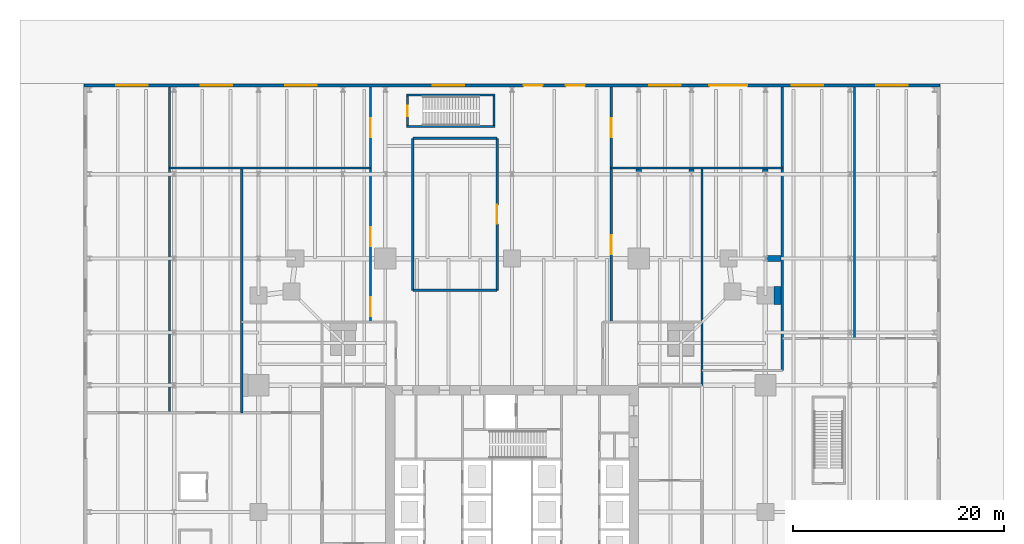
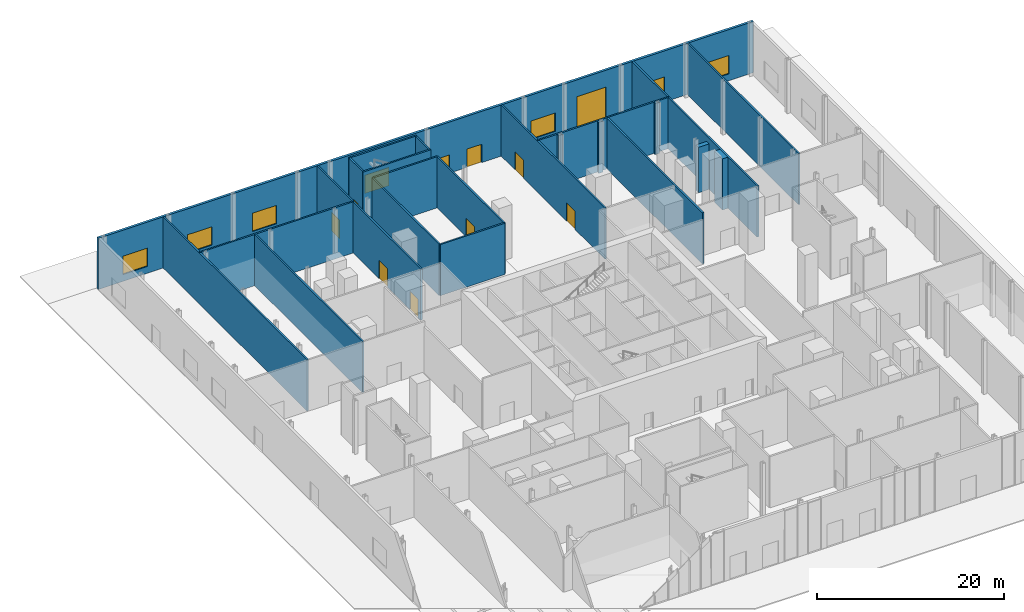
# One storey, part 17 of 20: 23 walls, 10 doors, 7 windows, 17 openings.
"""IFC4 building model written with IfcOpenShell, lengths in metres."""

from ifc_helpers import new_model, si_unit, direction, frame, frame_2d, origin, place, context, subcontext, project, spatial, rectangle, extrude, material, layer, layer_set, type_object, element, fill, save


model = new_model("IFC4")

# Units and contexts
model_context = context("Model", 3, precision=1e-05, world=origin(), true_north=direction((0.0, 1.0)))
body_context = subcontext(model_context, "Body", "Model", "MODEL_VIEW")
ifc_project = project(units=[si_unit("LENGTHUNIT", "METRE"), si_unit("AREAUNIT", "SQUARE_METRE"), si_unit("VOLUMEUNIT", "CUBIC_METRE"), si_unit("PLANEANGLEUNIT", "RADIAN"), si_unit("MASSUNIT", "GRAM", prefix="KILO")], contexts=[model_context])

# Site, building, storey
site_placement = place(None, origin())
site = spatial("IfcSite", under=ifc_project, at=site_placement, CompositionType="ELEMENT")
building_placement = place(site_placement, origin())
building = spatial("IfcBuilding", under=site, at=building_placement, Name="Fenwick Lantern Interchange", CompositionType="ELEMENT")
storey_placement = place(building_placement, origin())
storey = spatial("IfcBuildingStorey", under=building, at=storey_placement, Name="L00", CompositionType="ELEMENT", Elevation=0.0)

# Walls
ifc_material_1 = material(Name="Fire-rated gypsum board encasement on steel studs, 2 hour", Category="steel")
ifc_layer_1 = layer(ifc_material_1, 1.699951171875)
ifc_layer_set_1 = layer_set([ifc_layer_1], Name="COLUMN PIER 1700")
wall_type_1 = type_object("IfcWallType", Name="COLUMN PIER 1700", PredefinedType="PARTITIONING", material=ifc_layer_set_1)
wall_1_placement = place(storey_placement, frame((50.5, 45.5, 0.0), z_axis=(0.0, 0.0, 1.0), x_axis=(-1.0, 0.0, 0.0)))
element("IfcWall", 1, at=wall_1_placement, inside=storey, type_object=wall_type_1, Name="L00/W/PIER/CE5", PredefinedType="PARTITIONING", context=body_context, shape_type="SweptSolid", body=[
    extrude(rectangle(XDim=0.699951171875, YDim=1.699951171875, at=frame_2d((0.35009765625, 0.0))), origin(), (0.0, 0.0, 1.0), 6.699951171875),
])
ifc_layer_2 = layer(ifc_material_1, 0.51708984375)
ifc_layer_set_2 = layer_set([ifc_layer_2], Name="COLUMN PIER 517")
wall_type_2 = type_object("IfcWallType", Name="COLUMN PIER 517", PredefinedType="PARTITIONING", material=ifc_layer_set_2)
for number, where, z_axis, x_axis, name in (
    (2, (49.0, 57.5, 0.0), (0.0, 0.0, 1.0), (0.0, -1.0, 0.0), "L00/W/PIER/PK9"),
    (3, (37.0, 57.5, 0.0), (0.0, 0.0, 1.0), (0.0, -1.0, 0.0), "L00/W/PIER/PK7"),
    (4, (42.0, 57.5, 0.0), (0.0, 0.0, 1.0), (0.0, -1.0, 0.0), "L00/W/PIER/PK8"),
):
    element("IfcWall", number, at=place(storey_placement, frame(where, z_axis=z_axis, x_axis=x_axis)), inside=storey, type_object=wall_type_2, Name=name, PredefinedType="PARTITIONING", context=body_context, shape_type="SweptSolid", body=[
        extrude(rectangle(XDim=0.27783203125, YDim=0.51708984375, at=frame_2d((0.138916015625, 0.0))), origin(), (0.0, 0.0, 1.0), 6.699951171875),
    ])
ifc_layer_3 = layer(ifc_material_1, 0.544921875)
ifc_layer_set_3 = layer_set([ifc_layer_3], Name="COLUMN PIER 545")
wall_type_3 = type_object("IfcWallType", Name="COLUMN PIER 545", PredefinedType="PARTITIONING", material=ifc_layer_set_3)
wall_2_placement = place(storey_placement, frame((50.5, 49.0, 0.0), z_axis=(0.0, 0.0, 1.0), x_axis=(-1.0, 0.0, 0.0)))
element("IfcWall", 5, at=wall_2_placement, inside=storey, type_object=wall_type_3, Name="L00/W/PIER/PJ9", PredefinedType="PARTITIONING", context=body_context, shape_type="SweptSolid", body=[
    extrude(rectangle(XDim=1.291748046875, YDim=0.544921875, at=frame_2d((0.64599609375, 0.0))), origin(), (0.0, 0.0, 1.0), 5.9541015625),
])

# Wall, openings, doors, windows
ifc_material_2 = material(Name="Limestone ASTM C568 Classification II", Category="masonry")
ifc_layer_4 = layer(ifc_material_2, 0.074951171875)
ifc_material_3 = material(Name="Mineral wool insulation")
ifc_layer_5 = layer(ifc_material_3, 0.125)
ifc_material_4 = material(Name="Cold-formed galvanised steel studs", Category="steel")
ifc_layer_6 = layer(ifc_material_4, 0.10009765625)
ifc_layer_set_4 = layer_set([ifc_layer_4, ifc_layer_5, ifc_layer_6], Name="Limestone ASTM C568 Classification II")
wall_type_4 = type_object("IfcWallType", Name="LIMESTONE RAINSCREEN WALL 300", PredefinedType="SOLIDWALL", material=ifc_layer_set_4)
wall_3_placement = place(storey_placement, frame((65.550048828125, 65.39990234375, 0.0), z_axis=(0.0, 0.0, 1.0), x_axis=(-1.0, 0.0, 0.0)))
wall_3 = element("IfcWall", 6, at=wall_3_placement, inside=storey, type_object=wall_type_4, Name="L00/EW/N", PredefinedType="SOLIDWALL", context=body_context, shape_type="SweptSolid", body=[
    extrude(rectangle(XDim=81.10009765625, YDim=0.300048828125, at=frame_2d((40.550048828125, 0.0))), origin(), (0.0, 0.0, 1.0), 6.699951171875),
])
opening_1_placement = place(wall_3_placement, frame((37.64990234375, 0.0, 0.0)))
opening_1 = element("IfcOpeningElement", 7, at=opening_1_placement, cuts=wall_3, Name="Opening L00-D010", PredefinedType="OPENING", context=body_context, shape_type="SweptSolid", body=[
    extrude(rectangle(XDim=1.800048828125, YDim=2.39990234375, at=frame_2d((0.89990234375, 1.199951171875))), frame((0.0, 0.159912109375, 0.0), z_axis=(0.0, -1.0, 0.0), x_axis=(1.0, 0.0, 0.0)), (0.0, 0.0, 1.0), 0.320068359375),
])
opening_2_placement = place(wall_3_placement, frame((33.64990234375, 0.0, 0.0)))
opening_2 = element("IfcOpeningElement", 8, at=opening_2_placement, cuts=wall_3, Name="Opening L00-D011", PredefinedType="OPENING", context=body_context, shape_type="SweptSolid", body=[
    extrude(rectangle(XDim=1.800048828125, YDim=2.39990234375, at=frame_2d((0.89990234375, 1.199951171875))), frame((0.0, 0.159912109375, 0.0), z_axis=(0.0, -1.0, 0.0), x_axis=(1.0, 0.0, 0.0)), (0.0, 0.0, 1.0), 0.320068359375),
])
opening_3_placement = place(wall_3_placement, frame((18.25, 0.0, 0.0)))
opening_3 = element("IfcOpeningElement", 9, at=opening_3_placement, cuts=wall_3, Name="Opening L00-D012", PredefinedType="OPENING", context=body_context, shape_type="SweptSolid", body=[
    extrude(rectangle(XDim=3.60009765625, YDim=4.5, at=frame_2d((1.800048828125, 2.25))), frame((0.0, 0.159912109375, 0.0), z_axis=(0.0, -1.0, 0.0), x_axis=(1.0, 0.0, 0.0)), (0.0, 0.0, 1.0), 0.320068359375),
])
opening_4_placement = place(wall_3_placement, frame((75.050048828125, 0.0, 0.89990234375)))
opening_4 = element("IfcOpeningElement", 10, at=opening_4_placement, cuts=wall_3, Name="Opening W1", PredefinedType="OPENING", context=body_context, shape_type="SweptSolid", body=[
    extrude(rectangle(XDim=3.0, YDim=2.39990234375, at=frame_2d((1.5, 1.199951171875))), frame((0.0, 0.159912109375, 0.0), z_axis=(0.0, -1.0, 0.0), x_axis=(1.0, 0.0, 0.0)), (0.0, 0.0, 1.0), 0.320068359375),
])
opening_5_placement = place(wall_3_placement, frame((67.050048828125, 0.0, 0.89990234375)))
opening_5 = element("IfcOpeningElement", 11, at=opening_5_placement, cuts=wall_3, Name="Opening W1", PredefinedType="OPENING", context=body_context, shape_type="SweptSolid", body=[
    extrude(rectangle(XDim=3.0, YDim=2.39990234375, at=frame_2d((1.5, 1.199951171875))), frame((0.0, 0.159912109375, 0.0), z_axis=(0.0, -1.0, 0.0), x_axis=(1.0, 0.0, 0.0)), (0.0, 0.0, 1.0), 0.320068359375),
])
opening_6_placement = place(wall_3_placement, frame((59.050048828125, 0.0, 0.89990234375)))
opening_6 = element("IfcOpeningElement", 12, at=opening_6_placement, cuts=wall_3, Name="Opening W1", PredefinedType="OPENING", context=body_context, shape_type="SweptSolid", body=[
    extrude(rectangle(XDim=3.0, YDim=2.39990234375, at=frame_2d((1.5, 1.199951171875))), frame((0.0, 0.159912109375, 0.0), z_axis=(0.0, -1.0, 0.0), x_axis=(1.0, 0.0, 0.0)), (0.0, 0.0, 1.0), 0.320068359375),
])
opening_7_placement = place(wall_3_placement, frame((45.050048828125, 0.0, 0.89990234375)))
opening_7 = element("IfcOpeningElement", 13, at=opening_7_placement, cuts=wall_3, Name="Opening W1", PredefinedType="OPENING", context=body_context, shape_type="SweptSolid", body=[
    extrude(rectangle(XDim=3.0, YDim=2.39990234375, at=frame_2d((1.5, 1.199951171875))), frame((0.0, 0.159912109375, 0.0), z_axis=(0.0, -1.0, 0.0), x_axis=(1.0, 0.0, 0.0)), (0.0, 0.0, 1.0), 0.320068359375),
])
opening_8_placement = place(wall_3_placement, frame((24.550048828125, 0.0, 0.89990234375)))
opening_8 = element("IfcOpeningElement", 14, at=opening_8_placement, cuts=wall_3, Name="Opening W1", PredefinedType="OPENING", context=body_context, shape_type="SweptSolid", body=[
    extrude(rectangle(XDim=3.0, YDim=2.39990234375, at=frame_2d((1.5, 1.199951171875))), frame((0.0, 0.159912109375, 0.0), z_axis=(0.0, -1.0, 0.0), x_axis=(1.0, 0.0, 0.0)), (0.0, 0.0, 1.0), 0.320068359375),
])
opening_9_placement = place(wall_3_placement, frame((11.050048828125, 0.0, 0.89990234375)))
opening_9 = element("IfcOpeningElement", 15, at=opening_9_placement, cuts=wall_3, Name="Opening W1", PredefinedType="OPENING", context=body_context, shape_type="SweptSolid", body=[
    extrude(rectangle(XDim=3.0, YDim=2.39990234375, at=frame_2d((1.5, 1.199951171875))), frame((0.0, 0.159912109375, 0.0), z_axis=(0.0, -1.0, 0.0), x_axis=(1.0, 0.0, 0.0)), (0.0, 0.0, 1.0), 0.320068359375),
])
opening_10_placement = place(wall_3_placement, frame((3.050048828125, 0.0, 0.89990234375)))
opening_10 = element("IfcOpeningElement", 16, at=opening_10_placement, cuts=wall_3, Name="Opening W1", PredefinedType="OPENING", context=body_context, shape_type="SweptSolid", body=[
    extrude(rectangle(XDim=3.0, YDim=2.39990234375, at=frame_2d((1.5, 1.199951171875))), frame((0.0, 0.159912109375, 0.0), z_axis=(0.0, -1.0, 0.0), x_axis=(1.0, 0.0, 0.0)), (0.0, 0.0, 1.0), 0.320068359375),
])
ifc_material_5 = material(Name="Aluminium glazed door", Category="aluminium")
door_type_1 = type_object("IfcDoorType", Name="ENTRANCE DOOR PAIR 1800 X 2400", OperationType="DOUBLE_DOOR_SINGLE_SWING", PredefinedType="DOOR", material=ifc_material_5)
door_1_placement = place(opening_1_placement, frame((1.800048828125, 0.0, 0.0), z_axis=(0.0, 0.0, 1.0), x_axis=(-1.0, 0.0, 0.0)))
door_1 = element("IfcDoor", 17, at=door_1_placement, inside=storey, type_object=door_type_1, Name="Entrance door pair", OperationType="DOUBLE_DOOR_SINGLE_SWING", OverallHeight=2.39990234375, OverallWidth=1.800048828125, PredefinedType="DOOR", context=body_context, shape_type="SweptSolid", body=[
    extrude(rectangle(XDim=1.800048828125, YDim=2.39990234375, at=frame_2d((0.89990234375, 1.199951171875))), frame((0.0, 0.02490234375, 0.0), z_axis=(0.0, -1.0, 0.0), x_axis=(1.0, 0.0, 0.0)), (0.0, 0.0, 1.0), 0.050048828125),
])
fill(opening_1, door_1)
door_2_placement = place(opening_2_placement, frame((1.800048828125, 0.0, 0.0), z_axis=(0.0, 0.0, 1.0), x_axis=(-1.0, 0.0, 0.0)))
door_2 = element("IfcDoor", 18, at=door_2_placement, inside=storey, type_object=door_type_1, Name="Entrance door pair", OperationType="DOUBLE_DOOR_SINGLE_SWING", OverallHeight=2.39990234375, OverallWidth=1.800048828125, PredefinedType="DOOR", context=body_context, shape_type="SweptSolid", body=[
    extrude(rectangle(XDim=1.800048828125, YDim=2.39990234375, at=frame_2d((0.89990234375, 1.199951171875))), frame((0.0, 0.02490234375, 0.0), z_axis=(0.0, -1.0, 0.0), x_axis=(1.0, 0.0, 0.0)), (0.0, 0.0, 1.0), 0.050048828125),
])
fill(opening_2, door_2)
ifc_material_6 = material(Name="Insulated steel rolling shutter", Category="steel")
door_type_2 = type_object("IfcDoorType", Name="LOADING DOOR 3600 X 4500", OperationType="ROLLINGUP", PredefinedType="DOOR", material=ifc_material_6)
door_3_placement = place(opening_3_placement, origin())
door_3 = element("IfcDoor", 19, at=door_3_placement, inside=storey, type_object=door_type_2, Name="Loading door", OperationType="ROLLINGUP", OverallHeight=4.5, OverallWidth=3.60009765625, PredefinedType="DOOR", context=body_context, shape_type="SweptSolid", body=[
    extrude(rectangle(XDim=3.60009765625, YDim=4.5, at=frame_2d((1.800048828125, 2.25))), frame((0.0, 0.02490234375, 0.0), z_axis=(0.0, -1.0, 0.0), x_axis=(1.0, 0.0, 0.0)), (0.0, 0.0, 1.0), 0.050048828125),
])
fill(opening_3, door_3)
ifc_material_7 = material(Name="Aluminium window, clear glass", Category="aluminium")
window_type = type_object("IfcWindowType", Name="PODIUM WINDOW 3000 X 2400", PartitioningType="SINGLE_PANEL", PredefinedType="WINDOW", material=ifc_material_7)
window_1_placement = place(opening_4_placement, origin())
window_1 = element("IfcWindow", 20, at=window_1_placement, inside=storey, type_object=window_type, Name="Podium window", OverallHeight=2.39990234375, OverallWidth=3.0, PartitioningType="SINGLE_PANEL", PredefinedType="WINDOW", context=body_context, shape_type="SweptSolid", body=[
    extrude(rectangle(XDim=3.0, YDim=2.39990234375, at=frame_2d((1.5, 1.199951171875))), frame((0.0, 0.030029296875, 0.0), z_axis=(0.0, -1.0, 0.0), x_axis=(1.0, 0.0, 0.0)), (0.0, 0.0, 1.0), 0.06005859375),
])
fill(opening_4, window_1)
window_2_placement = place(opening_5_placement, origin())
window_2 = element("IfcWindow", 21, at=window_2_placement, inside=storey, type_object=window_type, Name="Podium window", OverallHeight=2.39990234375, OverallWidth=3.0, PartitioningType="SINGLE_PANEL", PredefinedType="WINDOW", context=body_context, shape_type="SweptSolid", body=[
    extrude(rectangle(XDim=3.0, YDim=2.39990234375, at=frame_2d((1.5, 1.199951171875))), frame((0.0, 0.030029296875, 0.0), z_axis=(0.0, -1.0, 0.0), x_axis=(1.0, 0.0, 0.0)), (0.0, 0.0, 1.0), 0.06005859375),
])
fill(opening_5, window_2)
window_3_placement = place(opening_6_placement, origin())
window_3 = element("IfcWindow", 22, at=window_3_placement, inside=storey, type_object=window_type, Name="Podium window", OverallHeight=2.39990234375, OverallWidth=3.0, PartitioningType="SINGLE_PANEL", PredefinedType="WINDOW", context=body_context, shape_type="SweptSolid", body=[
    extrude(rectangle(XDim=3.0, YDim=2.39990234375, at=frame_2d((1.5, 1.199951171875))), frame((0.0, 0.030029296875, 0.0), z_axis=(0.0, -1.0, 0.0), x_axis=(1.0, 0.0, 0.0)), (0.0, 0.0, 1.0), 0.06005859375),
])
fill(opening_6, window_3)
window_4_placement = place(opening_7_placement, origin())
window_4 = element("IfcWindow", 23, at=window_4_placement, inside=storey, type_object=window_type, Name="Podium window", OverallHeight=2.39990234375, OverallWidth=3.0, PartitioningType="SINGLE_PANEL", PredefinedType="WINDOW", context=body_context, shape_type="SweptSolid", body=[
    extrude(rectangle(XDim=3.0, YDim=2.39990234375, at=frame_2d((1.5, 1.199951171875))), frame((0.0, 0.030029296875, 0.0), z_axis=(0.0, -1.0, 0.0), x_axis=(1.0, 0.0, 0.0)), (0.0, 0.0, 1.0), 0.06005859375),
])
fill(opening_7, window_4)
window_5_placement = place(opening_8_placement, origin())
window_5 = element("IfcWindow", 24, at=window_5_placement, inside=storey, type_object=window_type, Name="Podium window", OverallHeight=2.39990234375, OverallWidth=3.0, PartitioningType="SINGLE_PANEL", PredefinedType="WINDOW", context=body_context, shape_type="SweptSolid", body=[
    extrude(rectangle(XDim=3.0, YDim=2.39990234375, at=frame_2d((1.5, 1.199951171875))), frame((0.0, 0.030029296875, 0.0), z_axis=(0.0, -1.0, 0.0), x_axis=(1.0, 0.0, 0.0)), (0.0, 0.0, 1.0), 0.06005859375),
])
fill(opening_8, window_5)
window_6_placement = place(opening_9_placement, origin())
window_6 = element("IfcWindow", 25, at=window_6_placement, inside=storey, type_object=window_type, Name="Podium window", OverallHeight=2.39990234375, OverallWidth=3.0, PartitioningType="SINGLE_PANEL", PredefinedType="WINDOW", context=body_context, shape_type="SweptSolid", body=[
    extrude(rectangle(XDim=3.0, YDim=2.39990234375, at=frame_2d((1.5, 1.199951171875))), frame((0.0, 0.030029296875, 0.0), z_axis=(0.0, -1.0, 0.0), x_axis=(1.0, 0.0, 0.0)), (0.0, 0.0, 1.0), 0.06005859375),
])
fill(opening_9, window_6)
window_7_placement = place(opening_10_placement, origin())
window_7 = element("IfcWindow", 26, at=window_7_placement, inside=storey, type_object=window_type, Name="Podium window", OverallHeight=2.39990234375, OverallWidth=3.0, PartitioningType="SINGLE_PANEL", PredefinedType="WINDOW", context=body_context, shape_type="SweptSolid", body=[
    extrude(rectangle(XDim=3.0, YDim=2.39990234375, at=frame_2d((1.5, 1.199951171875))), frame((0.0, 0.030029296875, 0.0), z_axis=(0.0, -1.0, 0.0), x_axis=(1.0, 0.0, 0.0)), (0.0, 0.0, 1.0), 0.06005859375),
])
fill(opening_10, window_7)

# Walls
ifc_material_8 = material(Name="Gypsum board on steel studs, 1 hour", Category="steel")
ifc_layer_7 = layer(ifc_material_8, 0.199951171875)
ifc_layer_set_5 = layer_set([ifc_layer_7], Name="ROOM WALL 200")
wall_type_5 = type_object("IfcWallType", Name="ROOM WALL 200", PredefinedType="PARTITIONING", material=ifc_layer_set_5)
wall_4_placement = place(storey_placement, frame((-7.449951171875, 34.39990234375, 0.0), z_axis=(0.0, 0.0, 1.0), x_axis=(0.0, 1.0, 0.0)))
element("IfcWall", 27, at=wall_4_placement, inside=storey, type_object=wall_type_5, Name="L00/W/POD/X-7.45-2", PredefinedType="PARTITIONING", context=body_context, shape_type="SweptSolid", body=[
    extrude(rectangle(XDim=30.85009765625, YDim=0.199951171875, at=frame_2d((15.425048828125, 0.0))), origin(), (0.0, 0.0, 1.0), 6.699951171875),
])
wall_5_placement = place(storey_placement, frame((-0.60009765625, 34.39990234375, 0.0), z_axis=(0.0, 0.0, 1.0), x_axis=(0.0, 1.0, 0.0)))
element("IfcWall", 28, at=wall_5_placement, inside=storey, type_object=wall_type_5, Name="L00/W/POD/X-0.6-2", PredefinedType="PARTITIONING", context=body_context, shape_type="SweptSolid", body=[
    extrude(rectangle(XDim=23.2001953125, YDim=0.199951171875, at=frame_2d((11.60009765625, 0.0))), origin(), (0.0, 0.0, 1.0), 6.699951171875),
])

# Wall, openings, doors
wall_6_placement = place(storey_placement, frame((11.60009765625, 43.0, 0.0), z_axis=(0.0, 0.0, 1.0), x_axis=(0.0, 1.0, 0.0)))
wall_6 = element("IfcWall", 29, at=wall_6_placement, inside=storey, type_object=wall_type_5, Name="L00/W/POD/X11.6-2", PredefinedType="PARTITIONING", context=body_context, shape_type="SweptSolid", body=[
    extrude(rectangle(XDim=22.25, YDim=0.199951171875, at=frame_2d((11.125, 0.0))), origin(), (0.0, 0.0, 1.0), 6.699951171875),
])
opening_11_placement = place(wall_6_placement, frame((7.175048828125, 0.0, 0.0)))
opening_11 = element("IfcOpeningElement", 30, at=opening_11_placement, cuts=wall_6, Name="Opening L00-D061", PredefinedType="OPENING", context=body_context, shape_type="SweptSolid", body=[
    extrude(rectangle(XDim=1.800048828125, YDim=2.39990234375, at=frame_2d((0.89990234375, 1.199951171875))), frame((0.0, 0.10986328125, 0.0), z_axis=(0.0, -1.0, 0.0), x_axis=(1.0, 0.0, 0.0)), (0.0, 0.0, 1.0), 0.219970703125),
])
opening_12_placement = place(wall_6_placement, frame((0.550048828125, 0.0, 0.0)))
opening_12 = element("IfcOpeningElement", 31, at=opening_12_placement, cuts=wall_6, Name="Opening L00-D062", PredefinedType="OPENING", context=body_context, shape_type="SweptSolid", body=[
    extrude(rectangle(XDim=1.800048828125, YDim=2.39990234375, at=frame_2d((0.89990234375, 1.199951171875))), frame((0.0, 0.10986328125, 0.0), z_axis=(0.0, -1.0, 0.0), x_axis=(1.0, 0.0, 0.0)), (0.0, 0.0, 1.0), 0.219970703125),
])
opening_13_placement = place(wall_6_placement, frame((17.5, 0.0, 0.0)))
opening_13 = element("IfcOpeningElement", 32, at=opening_13_placement, cuts=wall_6, Name="Opening L00-D063", PredefinedType="OPENING", context=body_context, shape_type="SweptSolid", body=[
    extrude(rectangle(XDim=1.800048828125, YDim=2.39990234375, at=frame_2d((0.89990234375, 1.199951171875))), frame((0.0, 0.10986328125, 0.0), z_axis=(0.0, -1.0, 0.0), x_axis=(1.0, 0.0, 0.0)), (0.0, 0.0, 1.0), 0.219970703125),
])
ifc_material_9 = material(Name="Steel door and frame", Category="steel")
door_type_3 = type_object("IfcDoorType", Name="ROOM DOOR PAIR 1800 X 2400", OperationType="DOUBLE_DOOR_SINGLE_SWING", PredefinedType="DOOR", material=ifc_material_9)
door_4_placement = place(opening_11_placement, frame((1.800048828125, 0.0, 0.0), z_axis=(0.0, 0.0, 1.0), x_axis=(-1.0, 0.0, 0.0)))
door_4 = element("IfcDoor", 33, at=door_4_placement, inside=storey, type_object=door_type_3, Name="Room door pair", OperationType="DOUBLE_DOOR_SINGLE_SWING", OverallHeight=2.39990234375, OverallWidth=1.800048828125, PredefinedType="DOOR", context=body_context, shape_type="SweptSolid", body=[
    extrude(rectangle(XDim=1.800048828125, YDim=2.39990234375, at=frame_2d((0.89990234375, 1.199951171875))), frame((0.0, 0.02490234375, 0.0), z_axis=(0.0, -1.0, 0.0), x_axis=(1.0, 0.0, 0.0)), (0.0, 0.0, 1.0), 0.050048828125),
])
fill(opening_11, door_4)
door_5_placement = place(opening_12_placement, frame((1.800048828125, 0.0, 0.0), z_axis=(0.0, 0.0, 1.0), x_axis=(-1.0, 0.0, 0.0)))
door_5 = element("IfcDoor", 34, at=door_5_placement, inside=storey, type_object=door_type_3, Name="Room door pair", OperationType="DOUBLE_DOOR_SINGLE_SWING", OverallHeight=2.39990234375, OverallWidth=1.800048828125, PredefinedType="DOOR", context=body_context, shape_type="SweptSolid", body=[
    extrude(rectangle(XDim=1.800048828125, YDim=2.39990234375, at=frame_2d((0.89990234375, 1.199951171875))), frame((0.0, 0.02490234375, 0.0), z_axis=(0.0, -1.0, 0.0), x_axis=(1.0, 0.0, 0.0)), (0.0, 0.0, 1.0), 0.050048828125),
])
fill(opening_12, door_5)
door_6_placement = place(opening_13_placement, frame((1.800048828125, 0.0, 0.0), z_axis=(0.0, 0.0, 1.0), x_axis=(-1.0, 0.0, 0.0)))
door_6 = element("IfcDoor", 35, at=door_6_placement, inside=storey, type_object=door_type_3, Name="Room door pair", OperationType="DOUBLE_DOOR_SINGLE_SWING", OverallHeight=2.39990234375, OverallWidth=1.800048828125, PredefinedType="DOOR", context=body_context, shape_type="SweptSolid", body=[
    extrude(rectangle(XDim=1.800048828125, YDim=2.39990234375, at=frame_2d((0.89990234375, 1.199951171875))), frame((0.0, 0.02490234375, 0.0), z_axis=(0.0, -1.0, 0.0), x_axis=(1.0, 0.0, 0.0)), (0.0, 0.0, 1.0), 0.050048828125),
])
fill(opening_13, door_6)

# Wall
wall_7_placement = place(storey_placement, frame((15.60009765625, 46.0, 0.0), z_axis=(0.0, 0.0, 1.0), x_axis=(0.0, 1.0, 0.0)))
element("IfcWall", 36, at=wall_7_placement, inside=storey, type_object=wall_type_5, Name="L00/W/POD/X15.6-2", PredefinedType="PARTITIONING", context=body_context, shape_type="SweptSolid", body=[
    extrude(rectangle(XDim=14.39990234375, YDim=0.199951171875, at=frame_2d((7.199951171875, 0.0))), origin(), (0.0, 0.0, 1.0), 6.699951171875),
])

# Wall, opening, door
wall_8_placement = place(storey_placement, frame((23.60009765625, 46.0, 0.0), z_axis=(0.0, 0.0, 1.0), x_axis=(0.0, 1.0, 0.0)))
wall_8 = element("IfcWall", 37, at=wall_8_placement, inside=storey, type_object=wall_type_5, Name="L00/W/POD/X23.6-2", PredefinedType="PARTITIONING", context=body_context, shape_type="SweptSolid", body=[
    extrude(rectangle(XDim=14.39990234375, YDim=0.199951171875, at=frame_2d((7.199951171875, 0.0))), origin(), (0.0, 0.0, 1.0), 6.699951171875),
])
opening_14_placement = place(wall_8_placement, frame((6.300048828125, 0.0, 0.0)))
opening_14 = element("IfcOpeningElement", 38, at=opening_14_placement, cuts=wall_8, Name="Opening L00-D073", PredefinedType="OPENING", context=body_context, shape_type="SweptSolid", body=[
    extrude(rectangle(XDim=1.800048828125, YDim=2.39990234375, at=frame_2d((0.89990234375, 1.199951171875))), frame((0.0, 0.10986328125, 0.0), z_axis=(0.0, -1.0, 0.0), x_axis=(1.0, 0.0, 0.0)), (0.0, 0.0, 1.0), 0.219970703125),
])
door_7_placement = place(opening_14_placement, frame((1.800048828125, 0.0, 0.0), z_axis=(0.0, 0.0, 1.0), x_axis=(-1.0, 0.0, 0.0)))
door_7 = element("IfcDoor", 39, at=door_7_placement, inside=storey, type_object=door_type_3, Name="Room door pair", OperationType="DOUBLE_DOOR_SINGLE_SWING", OverallHeight=2.39990234375, OverallWidth=1.800048828125, PredefinedType="DOOR", context=body_context, shape_type="SweptSolid", body=[
    extrude(rectangle(XDim=1.800048828125, YDim=2.39990234375, at=frame_2d((0.89990234375, 1.199951171875))), frame((0.0, 0.02490234375, 0.0), z_axis=(0.0, -1.0, 0.0), x_axis=(1.0, 0.0, 0.0)), (0.0, 0.0, 1.0), 0.050048828125),
])
fill(opening_14, door_7)

# Wall, openings, doors
wall_9_placement = place(storey_placement, frame((34.39990234375, 43.0, 0.0), z_axis=(0.0, 0.0, 1.0), x_axis=(0.0, 1.0, 0.0)))
wall_9 = element("IfcWall", 40, at=wall_9_placement, inside=storey, type_object=wall_type_5, Name="L00/W/POD/X34.4-2", PredefinedType="PARTITIONING", context=body_context, shape_type="SweptSolid", body=[
    extrude(rectangle(XDim=22.25, YDim=0.199951171875, at=frame_2d((11.125, 0.0))), origin(), (0.0, 0.0, 1.0), 6.699951171875),
])
opening_15_placement = place(wall_9_placement, frame((6.425048828125, 0.0, 0.0)))
opening_15 = element("IfcOpeningElement", 41, at=opening_15_placement, cuts=wall_9, Name="Opening L00-D056", PredefinedType="OPENING", context=body_context, shape_type="SweptSolid", body=[
    extrude(rectangle(XDim=1.800048828125, YDim=2.39990234375, at=frame_2d((0.89990234375, 1.199951171875))), frame((0.0, 0.10986328125, 0.0), z_axis=(0.0, -1.0, 0.0), x_axis=(1.0, 0.0, 0.0)), (0.0, 0.0, 1.0), 0.219970703125),
])
opening_16_placement = place(wall_9_placement, frame((17.5, 0.0, 0.0)))
opening_16 = element("IfcOpeningElement", 42, at=opening_16_placement, cuts=wall_9, Name="Opening L00-D057", PredefinedType="OPENING", context=body_context, shape_type="SweptSolid", body=[
    extrude(rectangle(XDim=1.800048828125, YDim=2.39990234375, at=frame_2d((0.89990234375, 1.199951171875))), frame((0.0, 0.10986328125, 0.0), z_axis=(0.0, -1.0, 0.0), x_axis=(1.0, 0.0, 0.0)), (0.0, 0.0, 1.0), 0.219970703125),
])
door_8_placement = place(opening_15_placement, origin())
door_8 = element("IfcDoor", 43, at=door_8_placement, inside=storey, type_object=door_type_3, Name="Room door pair", OperationType="DOUBLE_DOOR_SINGLE_SWING", OverallHeight=2.39990234375, OverallWidth=1.800048828125, PredefinedType="DOOR", context=body_context, shape_type="SweptSolid", body=[
    extrude(rectangle(XDim=1.800048828125, YDim=2.39990234375, at=frame_2d((0.89990234375, 1.199951171875))), frame((0.0, 0.02490234375, 0.0), z_axis=(0.0, -1.0, 0.0), x_axis=(1.0, 0.0, 0.0)), (0.0, 0.0, 1.0), 0.050048828125),
])
fill(opening_15, door_8)
door_9_placement = place(opening_16_placement, origin())
door_9 = element("IfcDoor", 44, at=door_9_placement, inside=storey, type_object=door_type_3, Name="Room door pair", OperationType="DOUBLE_DOOR_SINGLE_SWING", OverallHeight=2.39990234375, OverallWidth=1.800048828125, PredefinedType="DOOR", context=body_context, shape_type="SweptSolid", body=[
    extrude(rectangle(XDim=1.800048828125, YDim=2.39990234375, at=frame_2d((0.89990234375, 1.199951171875))), frame((0.0, 0.02490234375, 0.0), z_axis=(0.0, -1.0, 0.0), x_axis=(1.0, 0.0, 0.0)), (0.0, 0.0, 1.0), 0.050048828125),
])
fill(opening_16, door_9)

# Walls
wall_10_placement = place(storey_placement, frame((43.0, 37.0, 0.0), z_axis=(0.0, 0.0, 1.0), x_axis=(0.0, 1.0, 0.0)))
element("IfcWall", 45, at=wall_10_placement, inside=storey, type_object=wall_type_5, Name="L00/W/POD/X43-2", PredefinedType="PARTITIONING", context=body_context, shape_type="SweptSolid", body=[
    extrude(rectangle(XDim=20.60009765625, YDim=0.199951171875, at=frame_2d((10.300048828125, 0.0))), origin(), (0.0, 0.0, 1.0), 6.699951171875),
])
wall_11_placement = place(storey_placement, frame((50.60009765625, 38.39990234375, 0.0), z_axis=(0.0, 0.0, 1.0), x_axis=(0.0, 1.0, 0.0)))
element("IfcWall", 46, at=wall_11_placement, inside=storey, type_object=wall_type_5, Name="L00/W/POD/X50.6-2", PredefinedType="PARTITIONING", context=body_context, shape_type="SweptSolid", body=[
    extrude(rectangle(XDim=26.85009765625, YDim=0.199951171875, at=frame_2d((13.425048828125, 0.0))), origin(), (0.0, 0.0, 1.0), 6.699951171875),
])
wall_12_placement = place(storey_placement, frame((57.449951171875, 41.449951171875, 0.0), z_axis=(0.0, 0.0, 1.0), x_axis=(0.0, 1.0, 0.0)))
element("IfcWall", 47, at=wall_12_placement, inside=storey, type_object=wall_type_5, Name="L00/W/POD/X57.45-2", PredefinedType="PARTITIONING", context=body_context, shape_type="SweptSolid", body=[
    extrude(rectangle(XDim=23.800048828125, YDim=0.199951171875, at=frame_2d((11.89990234375, 0.0))), origin(), (0.0, 0.0, 1.0), 6.699951171875),
])
wall_13_placement = place(storey_placement, frame((15.60009765625, 46.0, 0.0), z_axis=(0.0, 0.0, 1.0), x_axis=(1.0, 0.0, 0.0)))
element("IfcWall", 48, at=wall_13_placement, inside=storey, type_object=wall_type_5, Name="L00/W/POD/Y46-1", PredefinedType="PARTITIONING", context=body_context, shape_type="SweptSolid", body=[
    extrude(rectangle(XDim=8.0, YDim=0.199951171875, at=frame_2d((4.0, 0.0))), origin(), (0.0, 0.0, 1.0), 6.699951171875),
])
wall_14_placement = place(storey_placement, frame((-7.449951171875, 57.60009765625, 0.0), z_axis=(0.0, 0.0, 1.0), x_axis=(1.0, 0.0, 0.0)))
element("IfcWall", 49, at=wall_14_placement, inside=storey, type_object=wall_type_5, Name="L00/W/POD/Y57.6-1", PredefinedType="PARTITIONING", context=body_context, shape_type="SweptSolid", body=[
    extrude(rectangle(XDim=19.050048828125, YDim=0.199951171875, at=frame_2d((9.52490234375, 0.0))), origin(), (0.0, 0.0, 1.0), 6.699951171875),
])
wall_15_placement = place(storey_placement, frame((34.39990234375, 57.60009765625, 0.0), z_axis=(0.0, 0.0, 1.0), x_axis=(1.0, 0.0, 0.0)))
element("IfcWall", 50, at=wall_15_placement, inside=storey, type_object=wall_type_5, Name="L00/W/POD/Y57.6-2", PredefinedType="PARTITIONING", context=body_context, shape_type="SweptSolid", body=[
    extrude(rectangle(XDim=16.2001953125, YDim=0.199951171875, at=frame_2d((8.10009765625, 0.0))), origin(), (0.0, 0.0, 1.0), 6.699951171875),
])
wall_16_placement = place(storey_placement, frame((15.60009765625, 60.39990234375, 0.0), z_axis=(0.0, 0.0, 1.0), x_axis=(1.0, 0.0, 0.0)))
element("IfcWall", 51, at=wall_16_placement, inside=storey, type_object=wall_type_5, Name="L00/W/POD/Y60.4-1", PredefinedType="PARTITIONING", context=body_context, shape_type="SweptSolid", body=[
    extrude(rectangle(XDim=8.0, YDim=0.199951171875, at=frame_2d((4.0, 0.0))), origin(), (0.0, 0.0, 1.0), 6.699951171875),
])
ifc_material_10 = material(Name="Reinforced concrete masonry ASTM C90 Grade N", Category="masonry")
ifc_layer_8 = layer(ifc_material_10, 0.199951171875)
ifc_layer_set_6 = layer_set([ifc_layer_8], Name="Reinforced concrete masonry ASTM C90 Grade N")
wall_type_6 = type_object("IfcWallType", Name="STAIR ENCLOSURE 200", PredefinedType="SOLIDWALL", material=ifc_layer_set_6)
wall_17_placement = place(storey_placement, frame((15.0, 61.5, 0.0), z_axis=(0.0, 0.0, 1.0), x_axis=(1.0, 0.0, 0.0)))
element("IfcWall", 52, at=wall_17_placement, inside=storey, type_object=wall_type_6, Name="L00/W/PS1/S", PredefinedType="SOLIDWALL", context=body_context, shape_type="SweptSolid", body=[
    extrude(rectangle(XDim=8.39990234375, YDim=0.199951171875, at=frame_2d((4.199951171875, 0.0))), origin(), (0.0, 0.0, 1.0), 7.0),
])
wall_18_placement = place(storey_placement, frame((23.300048828125, 61.60009765625, 0.0), z_axis=(0.0, 0.0, 1.0), x_axis=(0.0, 1.0, 0.0)))
element("IfcWall", 53, at=wall_18_placement, inside=storey, type_object=wall_type_6, Name="L00/W/PS1/E", PredefinedType="SOLIDWALL", context=body_context, shape_type="SweptSolid", body=[
    extrude(rectangle(XDim=2.7998046875, YDim=0.199951171875, at=frame_2d((1.39990234375, 0.0))), origin(), (0.0, 0.0, 1.0), 7.0),
])
wall_19_placement = place(storey_placement, frame((23.39990234375, 64.5, 0.0), z_axis=(0.0, 0.0, 1.0), x_axis=(-1.0, 0.0, 0.0)))
element("IfcWall", 54, at=wall_19_placement, inside=storey, type_object=wall_type_6, Name="L00/W/PS1/N", PredefinedType="SOLIDWALL", context=body_context, shape_type="SweptSolid", body=[
    extrude(rectangle(XDim=8.39990234375, YDim=0.199951171875, at=frame_2d((4.199951171875, 0.0))), origin(), (0.0, 0.0, 1.0), 7.0),
])

# Wall, opening, door
wall_20_placement = place(storey_placement, frame((15.10009765625, 64.39990234375, 0.0), z_axis=(0.0, 0.0, 1.0), x_axis=(0.0, -1.0, 0.0)))
wall_20 = element("IfcWall", 55, at=wall_20_placement, inside=storey, type_object=wall_type_6, Name="L00/W/PS1/W", PredefinedType="SOLIDWALL", context=body_context, shape_type="SweptSolid", body=[
    extrude(rectangle(XDim=2.7998046875, YDim=0.199951171875, at=frame_2d((1.39990234375, 0.0))), origin(), (0.0, 0.0, 1.0), 7.0),
])
opening_17_placement = place(wall_20_placement, frame((0.89990234375, 0.0, 0.0)))
opening_17 = element("IfcOpeningElement", 56, at=opening_17_placement, cuts=wall_20, Name="Opening L00-D035", PredefinedType="OPENING", context=body_context, shape_type="SweptSolid", body=[
    extrude(rectangle(XDim=1.0, YDim=2.199951171875, at=frame_2d((0.5, 1.10009765625))), frame((0.0, 0.10986328125, 0.0), z_axis=(0.0, -1.0, 0.0), x_axis=(1.0, 0.0, 0.0)), (0.0, 0.0, 1.0), 0.219970703125),
])
door_type_4 = type_object("IfcDoorType", Name="STAIR DOOR 1000 X 2200", OperationType="SINGLE_SWING_LEFT", PredefinedType="DOOR", material=ifc_material_9)
door_10_placement = place(opening_17_placement, frame((1.0, 0.0, 0.0), z_axis=(0.0, 0.0, 1.0), x_axis=(-1.0, 0.0, 0.0)))
door_10 = element("IfcDoor", 57, at=door_10_placement, inside=storey, type_object=door_type_4, Name="Stair door", OperationType="SINGLE_SWING_RIGHT", OverallHeight=2.199951171875, OverallWidth=1.0, PredefinedType="DOOR", context=body_context, shape_type="SweptSolid", body=[
    extrude(rectangle(XDim=1.0, YDim=2.199951171875, at=frame_2d((0.5, 1.10009765625))), frame((0.0, 0.02490234375, 0.0), z_axis=(0.0, -1.0, 0.0), x_axis=(1.0, 0.0, 0.0)), (0.0, 0.0, 1.0), 0.050048828125),
])
fill(opening_17, door_10)

save(model, "model.ifc")
